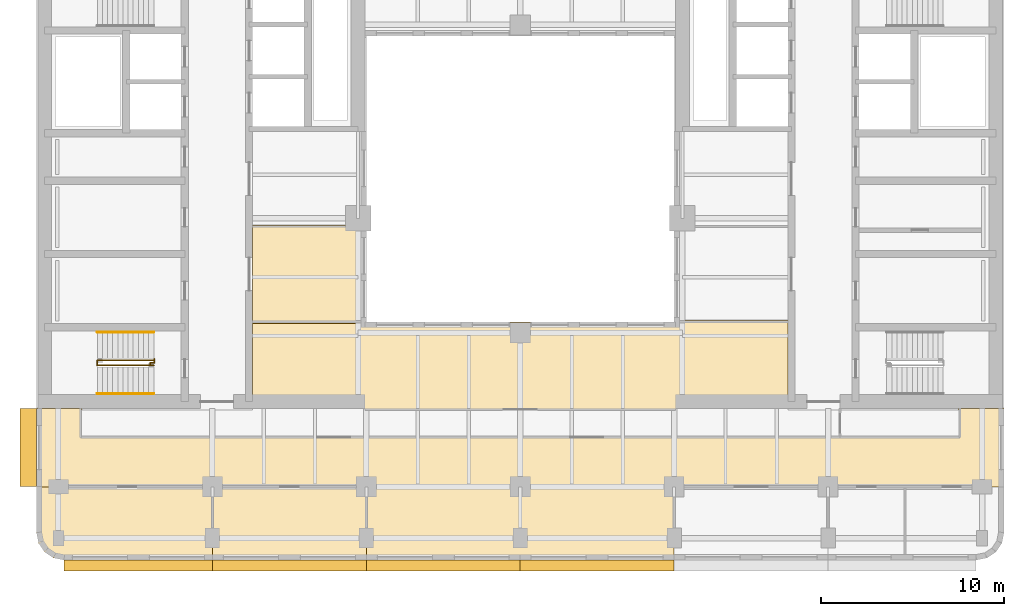
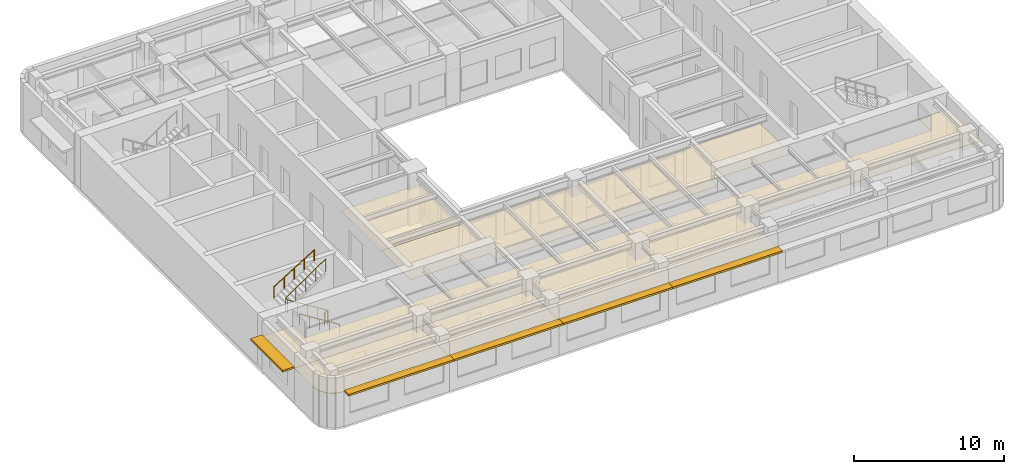
# One storey, part 9 of 11: 5 coverings, 5 shading devices, 4 railings.
"""IFC4 building model written with IfcOpenShell, lengths in metres."""

from ifc_helpers import new_model, si_unit, direction, frame, origin, origin_2d, place, context, subcontext, project, spatial, polyline, rectangle, circle, outline, extrude, material, layer, layer_set, type_object, element, save


model = new_model("IFC4")

# Units and contexts
model_context = context("Model", 3, precision=1e-05, world=origin(), true_north=direction((0.0, 1.0)))
body_context = subcontext(model_context, "Body", "Model", "MODEL_VIEW")
ifc_project = project(units=[si_unit("LENGTHUNIT", "METRE"), si_unit("AREAUNIT", "SQUARE_METRE"), si_unit("VOLUMEUNIT", "CUBIC_METRE"), si_unit("PLANEANGLEUNIT", "RADIAN"), si_unit("MASSUNIT", "GRAM", prefix="KILO")], contexts=[model_context])

# Site, building, storey
site_placement = place(None, origin())
site = spatial("IfcSite", under=ifc_project, at=site_placement, CompositionType="ELEMENT")
building_placement = place(site_placement, origin())
building = spatial("IfcBuilding", under=site, at=building_placement, Name="Claustro Exchange Tower", CompositionType="ELEMENT")
storey_placement = place(building_placement, frame((0.0, 0.0, 186.0)))
storey = spatial("IfcBuildingStorey", under=building, at=storey_placement, Name="L42", CompositionType="ELEMENT", Elevation=186.0)

# Coverings
ifc_material_1 = material(Name="Perforated metal ceiling tiles", Category="steel")
ifc_layer_1 = layer(ifc_material_1, 0.030029296875)
ifc_layer_set_1 = layer_set([ifc_layer_1], Name="Perforated metal ceiling tiles")
covering_type_1 = type_object("IfcCoveringType", Name="CL1 suspended metal ceiling", PredefinedType="CEILING", material=ifc_layer_set_1)
covering_1_placement = place(storey_placement, frame((0.0, 0.0, 2.800048828125)))
element("IfcCovering", 1, at=covering_1_placement, inside=storey, type_object=covering_type_1, Name="Ceiling CL1 L42-06", PredefinedType="CEILING", context=body_context, shape_type="SweptSolid", body=[
    extrude(outline(polyline([(1.199951171875, 11.10009765625), (1.199951171875, 12.60009765625), (1.294921875, 12.60009765625), (1.294921875, 12.675048828125), (-1.125, 12.675048828125), (-1.125, 12.695068359375), (-1.199951171875, 12.695068359375), (-1.199951171875, 8.39990234375), (16.800048828125, 8.39990234375), (16.800048828125, 4.39990234375), (33.60009765625, 4.39990234375), (33.60009765625, 8.39990234375), (51.60009765625, 8.39990234375), (51.60009765625, 12.695068359375), (51.52490234375, 12.695068359375), (51.52490234375, 12.675048828125), (49.10498046875, 12.675048828125), (49.10498046875, 12.60009765625), (49.199951171875, 12.60009765625), (49.199951171875, 11.10009765625), (1.199951171875, 11.10009765625)])), origin(), (0.0, 0.0, 1.0), 0.030029296875),
])
ifc_material_2 = material(Name="Gypsum board ceiling", Category="gypsum board")
ifc_layer_2 = layer(ifc_material_2, 0.02490234375)
ifc_layer_set_2 = layer_set([ifc_layer_2], Name="Gypsum board ceiling")
covering_type_2 = type_object("IfcCoveringType", Name="CL2 plasterboard ceiling", PredefinedType="CEILING", material=ifc_layer_set_2)
covering_2_placement = place(storey_placement, frame((0.0, 0.0, 2.800048828125)))
element("IfcCovering", 2, at=covering_2_placement, inside=storey, type_object=covering_type_2, Name="Ceiling CL2 L42-01", PredefinedType="CEILING", context=body_context, shape_type="SweptSolid", body=[
    extrude(outline(polyline([(-1.085693359375, 5.325927734375), (-0.7607421875, 4.83935546875), (-0.27392578125, 4.51416015625), (0.300048828125, 4.39990234375), (8.39990234375, 4.39990234375), (8.39990234375, 8.39990234375), (-1.199951171875, 8.39990234375), (-1.199951171875, 5.89990234375), (-1.085693359375, 5.325927734375)])), origin(), (0.0, 0.0, 1.0), 0.02490234375),
])
covering_3_placement = place(storey_placement, frame((0.0, 0.0, 2.800048828125)))
element("IfcCovering", 3, at=covering_3_placement, inside=storey, type_object=covering_type_2, Name="Ceiling CL2 L42-02", PredefinedType="CEILING", context=body_context, shape_type="SweptSolid", body=[
    extrude(outline(polyline([(8.39990234375, 4.39990234375), (16.800048828125, 4.39990234375), (16.800048828125, 8.39990234375), (8.39990234375, 8.39990234375), (8.39990234375, 4.39990234375)])), origin(), (0.0, 0.0, 1.0), 0.02490234375),
])
covering_4_placement = place(storey_placement, frame((0.0, 0.0, 2.800048828125)))
element("IfcCovering", 4, at=covering_4_placement, inside=storey, type_object=covering_type_2, Name="Ceiling CL2 L42-09", PredefinedType="CEILING", context=body_context, shape_type="SweptSolid", body=[
    extrude(outline(polyline([(33.60009765625, 17.39990234375), (16.800048828125, 17.39990234375), (16.800048828125, 17.4951171875), (10.60009765625, 17.4951171875), (10.60009765625, 13.405029296875), (16.705078125, 13.405029296875), (16.705078125, 12.60009765625), (33.695068359375, 12.60009765625), (33.695068359375, 13.405029296875), (39.800048828125, 13.405029296875), (39.800048828125, 17.4951171875), (33.60009765625, 17.4951171875), (33.60009765625, 17.39990234375)])), origin(), (0.0, 0.0, 1.0), 0.02490234375),
])
covering_5_placement = place(storey_placement, frame((0.0, 0.0, 2.800048828125)))
element("IfcCovering", 5, at=covering_5_placement, inside=storey, type_object=covering_type_2, Name="Ceiling CL2 L42-10", PredefinedType="CEILING", context=body_context, shape_type="SweptSolid", body=[
    extrude(outline(polyline([(10.60009765625, 22.695068359375), (10.60009765625, 17.304931640625), (16.800048828125, 17.304931640625), (16.800048828125, 22.695068359375), (10.60009765625, 22.695068359375)])), origin(), (0.0, 0.0, 1.0), 0.02490234375),
])

# Railings
ifc_material_3 = material(Name="Steel balustrade, painted", Category="steel")
railing_type_1 = type_object("IfcRailingType", Name="GR2 1100 steel stair guard", PredefinedType="GUARDRAIL", material=ifc_material_3)
railing_1_placement = place(storey_placement, frame((5.199951171875, 15.02490234375, 0.175048828125)))
element("IfcRailing", 6, at=railing_1_placement, inside=storey, type_object=railing_type_1, Name="Stair well guard GR2 stair STWA L42", PredefinedType="GUARDRAIL", context=body_context, shape_type="SweptSolid", body=[
    extrude(circle(Radius=0.02392578125, at=origin_2d()), frame((0.0, 0.0, 1.076171875), z_axis=(-0.847979421464, 0.0, 0.530029150871), x_axis=(0.0, -1.0, 0.0)), (0.0, 0.0, 1.0), 3.632080078125),
    extrude(circle(Radius=0.02392578125, at=origin_2d()), frame((-3.079833984375, 0.0, 3.0009765625), z_axis=(0.0, 1.0, 0.0), x_axis=(-1.0, 0.0, 0.0)), (0.0, 0.0, 1.0), 0.275146484375),
    extrude(circle(Radius=0.02392578125, at=origin_2d()), frame((-3.079833984375, 0.275146484375, 3.0009765625), z_axis=(0.826231499792, 0.0, 0.563330727682), x_axis=(0.0, 1.0, 0.0)), (0.0, 0.0, 1.0), 3.7275390625),
    extrude(circle(Radius=0.02099609375, at=origin_2d()), origin(), (0.0, 0.0, 1.0), 1.052001953125),
    extrude(circle(Radius=0.02099609375, at=origin_2d()), frame((-0.77001953125, 0.0, 0.481201171875)), (0.0, 0.0, 1.0), 1.052001953125),
    extrude(circle(Radius=0.02099609375, at=origin_2d()), frame((-1.5400390625, 0.0, 0.96240234375)), (0.0, 0.0, 1.0), 1.052001953125),
    extrude(circle(Radius=0.02099609375, at=origin_2d()), frame((-2.309814453125, 0.0, 1.44384765625)), (0.0, 0.0, 1.0), 1.052001953125),
    extrude(circle(Radius=0.02099609375, at=origin_2d()), frame((-3.079833984375, 0.0, 1.925048828125)), (0.0, 0.0, 1.0), 1.052001953125),
    extrude(circle(Radius=0.02099609375, at=origin_2d()), frame((-3.079833984375, 0.275146484375, 1.925048828125)), (0.0, 0.0, 1.0), 1.052001953125),
    extrude(circle(Radius=0.02099609375, at=origin_2d()), frame((-2.309814453125, 0.275146484375, 2.449951171875)), (0.0, 0.0, 1.0), 1.052001953125),
    extrude(circle(Radius=0.02099609375, at=origin_2d()), frame((-1.5400390625, 0.275146484375, 2.97509765625)), (0.0, 0.0, 1.0), 1.052001953125),
    extrude(circle(Radius=0.02099609375, at=origin_2d()), frame((-0.77001953125, 0.275146484375, 3.5)), (0.0, 0.0, 1.0), 1.052001953125),
    extrude(circle(Radius=0.02099609375, at=origin_2d()), frame((0.0, 0.275146484375, 4.02490234375)), (0.0, 0.0, 1.0), 1.052001953125),
])
railing_2_placement = place(storey_placement, frame((5.0, 15.094970703125, 0.0)))
element("IfcRailing", 7, at=railing_2_placement, inside=storey, type_object=railing_type_1, Name="Stair guard GR2 STWA L42", PredefinedType="GUARDRAIL", context=body_context, shape_type="SweptSolid", body=[
    extrude(circle(Radius=0.02392578125, at=origin_2d()), frame((0.0, 0.0, 1.076171875), z_axis=(0.0, 1.0, 0.0), x_axis=(-1.0, 0.0, 0.0)), (0.0, 0.0, 1.0), 0.067626953125),
    extrude(circle(Radius=0.02392578125, at=origin_2d()), frame((0.0, 0.067626953125, 1.076171875), z_axis=(1.0, 0.0, 0.0), x_axis=(0.0, 1.0, 0.0)), (0.0, 0.0, 1.0), 0.22509765625),
    extrude(circle(Radius=0.02392578125, at=origin_2d()), frame((0.22509765625, 0.067626953125, 1.076171875), z_axis=(0.0, 1.0, 0.0), x_axis=(-1.0, 0.0, 0.0)), (0.0, 0.0, 1.0), 0.21728515625),
    extrude(circle(Radius=0.02099609375, at=origin_2d()), origin(), (0.0, 0.0, 1.0), 1.052001953125),
    extrude(circle(Radius=0.02099609375, at=origin_2d()), frame((0.0, 0.067626953125, 0.0)), (0.0, 0.0, 1.0), 1.052001953125),
    extrude(circle(Radius=0.02099609375, at=origin_2d()), frame((0.22509765625, 0.067626953125, 0.0)), (0.0, 0.0, 1.0), 1.052001953125),
    extrude(circle(Radius=0.02099609375, at=origin_2d()), frame((0.22509765625, 0.284912109375, 0.0)), (0.0, 0.0, 1.0), 1.052001953125),
])
ifc_material_4 = material(Name="Stainless steel tube", Category="steel")
railing_type_2 = type_object("IfcRailingType", Name="HR1 900 stair handrail", PredefinedType="HANDRAIL", material=ifc_material_4)
railing_3_placement = place(storey_placement, frame((5.199951171875, 13.485107421875, 0.175048828125)))
element("IfcRailing", 8, at=railing_3_placement, inside=storey, type_object=railing_type_2, Name="Handrail HR1 stair STWA L42", PredefinedType="HANDRAIL", context=body_context, shape_type="SweptSolid", body=[
    extrude(circle(Radius=0.02392578125, at=origin_2d()), frame((0.0, 0.0, 0.8759765625), z_axis=(-0.847979421464, 0.0, 0.530029150871), x_axis=(0.0, -1.0, 0.0)), (0.0, 0.0, 1.0), 3.632080078125),
    extrude(circle(Radius=0.02099609375, at=origin_2d()), origin(), (0.0, 0.0, 1.0), 0.851806640625),
    extrude(circle(Radius=0.02099609375, at=origin_2d()), frame((-0.77001953125, 0.0, 0.481201171875)), (0.0, 0.0, 1.0), 0.851806640625),
    extrude(circle(Radius=0.02099609375, at=origin_2d()), frame((-1.5400390625, 0.0, 0.96240234375)), (0.0, 0.0, 1.0), 0.851806640625),
    extrude(circle(Radius=0.02099609375, at=origin_2d()), frame((-2.309814453125, 0.0, 1.44384765625)), (0.0, 0.0, 1.0), 0.851806640625),
    extrude(circle(Radius=0.02099609375, at=origin_2d()), frame((-3.079833984375, 0.0, 1.925048828125)), (0.0, 0.0, 1.0), 0.851806640625),
])
railing_4_placement = place(storey_placement, frame((2.1201171875, 16.840087890625, 2.27490234375)))
element("IfcRailing", 9, at=railing_4_placement, inside=storey, type_object=railing_type_2, Name="Handrail HR1 stair STWA L42", PredefinedType="HANDRAIL", context=body_context, shape_type="SweptSolid", body=[
    extrude(circle(Radius=0.02392578125, at=origin_2d()), frame((0.0, 0.0, 0.8759765625), z_axis=(0.847979421464, 0.0, 0.530029150871), x_axis=(0.0, 1.0, 0.0)), (0.0, 0.0, 1.0), 3.632080078125),
    extrude(circle(Radius=0.02099609375, at=origin_2d()), origin(), (0.0, 0.0, 1.0), 0.851806640625),
    extrude(circle(Radius=0.02099609375, at=origin_2d()), frame((0.77001953125, 0.0, 0.481201171875)), (0.0, 0.0, 1.0), 0.851806640625),
    extrude(circle(Radius=0.02099609375, at=origin_2d()), frame((1.5400390625, 0.0, 0.96240234375)), (0.0, 0.0, 1.0), 0.851806640625),
    extrude(circle(Radius=0.02099609375, at=origin_2d()), frame((2.309814453125, 0.0, 1.44384765625)), (0.0, 0.0, 1.0), 0.851806640625),
    extrude(circle(Radius=0.02099609375, at=origin_2d()), frame((3.079833984375, 0.0, 1.925048828125)), (0.0, 0.0, 1.0), 0.851806640625),
])

# Shading devices
ifc_material_5 = material(Name="Concrete HA-40 (C40/50), precast, white cement, acid-etched", Category="concrete")
ifc_layer_3 = layer(ifc_material_5, 0.14990234375)
ifc_layer_set_3 = layer_set([ifc_layer_3], Name="Concrete HA-40 (C40/50), precast, white cement, acid-etched")
shading_device_type_1 = type_object("IfcShadingDeviceType", Name="SS1 600 precast concrete SUNSHADE", PredefinedType="SHUTTER", material=ifc_layer_set_3)
for number, where, z_axis, x_axis, name in (
    (10, (29.39990234375, 4.10009765625, 2.800048828125), (0.0, 0.0, 1.0), (-1.0, 0.0, 0.0), "Precast SUNSHADE SS1 L42"),
    (11, (21.0, 4.10009765625, 2.800048828125), (0.0, 0.0, 1.0), (-1.0, 0.0, 0.0), "Precast SUNSHADE SS1 L42"),
    (12, (12.60009765625, 4.10009765625, 2.800048828125), (0.0, 0.0, 1.0), (-1.0, 0.0, 0.0), "Precast SUNSHADE SS1 L42"),
):
    element("IfcShadingDevice", number, at=place(storey_placement, frame(where, z_axis=z_axis, x_axis=x_axis)), inside=storey, type_object=shading_device_type_1, Name=name, PredefinedType="SHUTTER", context=body_context, shape_type="SweptSolid", body=[
        extrude(rectangle(XDim=8.39990234375, YDim=0.60009765625, at=origin_2d()), origin(), (0.0, 0.0, 1.0), 0.14990234375),
    ])
shading_device_1_placement = place(storey_placement, frame((4.357421875, 4.10009765625, 2.800048828125), z_axis=(0.0, 0.0, 1.0), x_axis=(-1.0, 0.0, 0.0)))
element("IfcShadingDevice", 13, at=shading_device_1_placement, inside=storey, type_object=shading_device_type_1, Name="Precast SUNSHADE SS1 L42", PredefinedType="SHUTTER", context=body_context, shape_type="SweptSolid", body=[
    extrude(rectangle(XDim=8.085205078125, YDim=0.60009765625, at=origin_2d()), origin(), (0.0, 0.0, 1.0), 0.14990234375),
])
ifc_material_6 = material(Name="Concrete HA-40 (C40/50), precast, white cement, acid-etched", Category="concrete")
ifc_layer_4 = layer(ifc_material_6, 0.14990234375)
ifc_layer_set_4 = layer_set([ifc_layer_4], Name="Concrete HA-40 (C40/50), precast, white cement, acid-etched")
shading_device_type_2 = type_object("IfcShadingDeviceType", Name="SS2 900 precast concrete SUNSHADE", PredefinedType="SHUTTER", material=ifc_layer_set_4)
shading_device_2_placement = place(storey_placement, frame((-1.64990234375, 10.53759765625, 2.800048828125), z_axis=(0.0, 0.0, 1.0), x_axis=(0.0, 1.0, 0.0)))
element("IfcShadingDevice", 14, at=shading_device_2_placement, inside=storey, type_object=shading_device_type_2, Name="Precast SUNSHADE SS2 L42", PredefinedType="SHUTTER", context=body_context, shape_type="SweptSolid", body=[
    extrude(rectangle(XDim=4.27490234375, YDim=0.89990234375, at=origin_2d()), origin(), (0.0, 0.0, 1.0), 0.14990234375),
])

save(model, "model.ifc")
